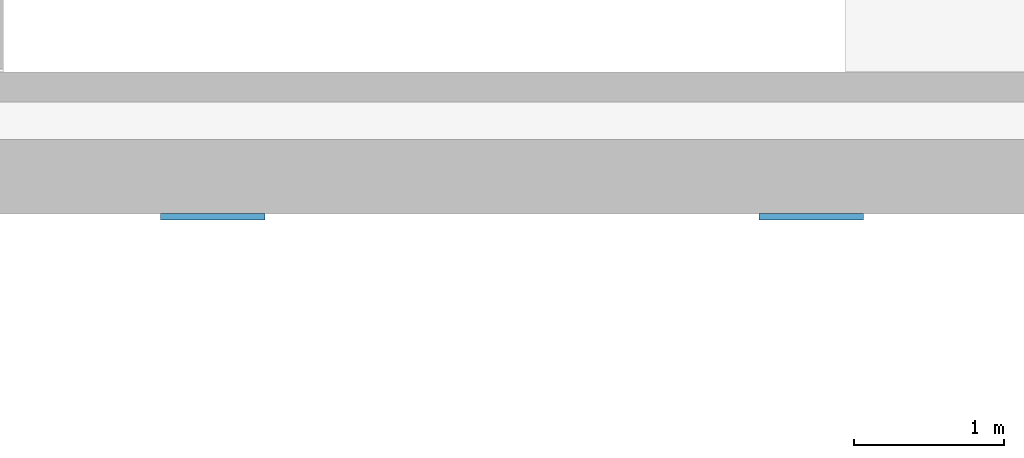
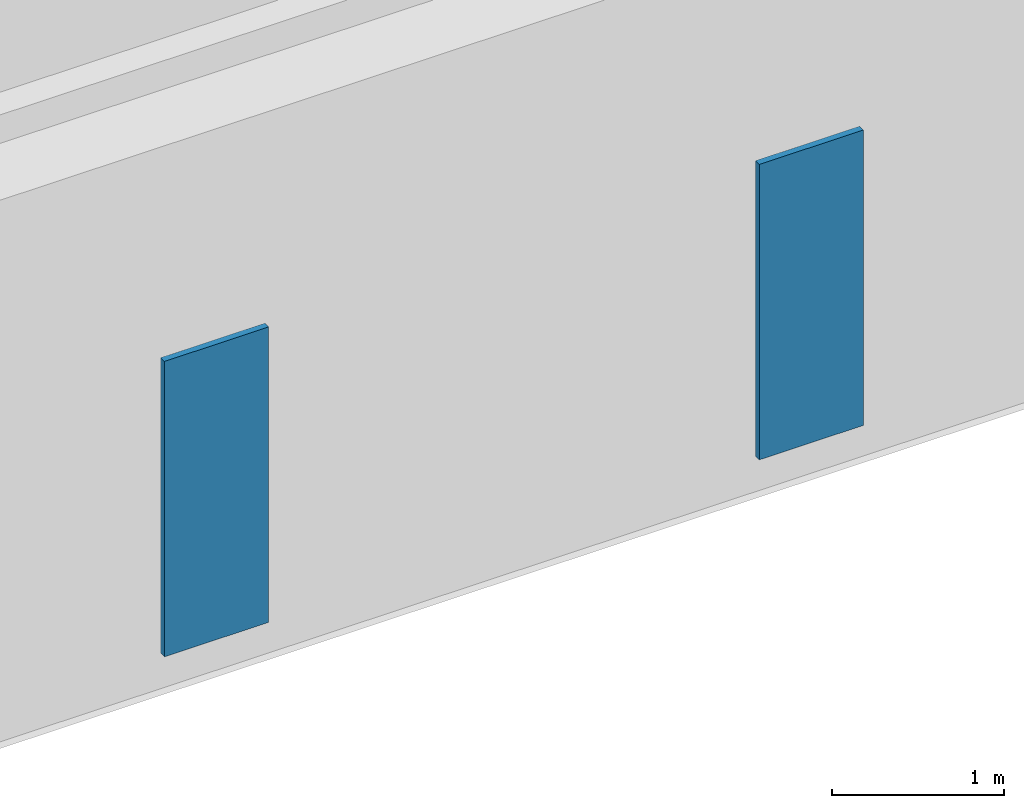
# One storey, part 2 of 14: 2 plates.
"""IFC4 building model written with IfcOpenShell, lengths in metres."""

from ifc_helpers import new_model, si_unit, derived_unit, direction, frame, origin, origin_2d, place, context, subcontext, project, spatial, rectangle, extrude, source, transform, mapped, material, layer, layer_set, type_object, type_shapes, element, save


model = new_model("IFC4")

# Units and contexts
model_context = context("Model", 3, precision=1e-05, world=origin(), true_north=direction((0.0, 1.0)))
body_context = subcontext(model_context, "Body", "Model", "MODEL_VIEW")
ifc_project = project(units=[si_unit("LENGTHUNIT", "METRE"), si_unit("AREAUNIT", "SQUARE_METRE"), si_unit("VOLUMEUNIT", "CUBIC_METRE"), si_unit("PLANEANGLEUNIT", "RADIAN"), si_unit("MASSUNIT", "GRAM", prefix="KILO"), si_unit("THERMODYNAMICTEMPERATUREUNIT", "KELVIN"), si_unit("POWERUNIT", "WATT"), derived_unit("THERMALTRANSMITTANCEUNIT", [(si_unit("POWERUNIT", "WATT"), 1), (si_unit("AREAUNIT", "SQUARE_METRE"), -1), (si_unit("THERMODYNAMICTEMPERATUREUNIT", "KELVIN"), -1)])], contexts=[model_context])

# Site, building, storey
site_placement = place(None, origin())
site = spatial("IfcSite", under=ifc_project, at=site_placement, CompositionType="ELEMENT")
building_placement = place(site_placement, origin())
building = spatial("IfcBuilding", under=site, at=building_placement, Name="Zahravan Archway Hotel and Residences", CompositionType="ELEMENT")
storey_placement = place(building_placement, frame((0.0, 0.0, 209.60009765625)))
storey = spatial("IfcBuildingStorey", under=building, at=storey_placement, Name="L52", CompositionType="ELEMENT", Elevation=209.60009765625)

# Plates
ifc_material = material(Name="Perforated Cast Bronze Jali Lattice")
ifc_layer = layer(ifc_material, 0.044921875, Name="Perforated Cast Bronze Jali Lattice")
ifc_layer_set = layer_set([ifc_layer], Name="Perforated Cast Bronze Jali Lattice")
plate_type = type_object("IfcPlateType", Name="PLT-JALI-BAY", PredefinedType="USERDEFINED", material=ifc_layer_set)
shared_shape = source(origin(), body_context, "Body", "SweptSolid", [
    extrude(rectangle(XDim=0.699951171875, YDim=0.044921875, at=origin_2d()), origin(), (0.0, 0.0, 1.0), 2.10009765625),
])
type_shapes(plate_type, [shared_shape])
for number, where, z_axis, x_axis, name in (
    (1, (5.5, 24.931884765625, 0.249755859375), (0.0, 0.0, 1.0), (1.0, 0.0, 0.0), "L52 Core B South Mughal Jali Screen 1"),
    (2, (9.5, 24.931884765625, 0.249755859375), (0.0, 0.0, 1.0), (1.0, 0.0, 0.0), "L52 Core B South Mughal Jali Screen 2"),
):
    element("IfcPlate", number, at=place(storey_placement, frame(where, z_axis=z_axis, x_axis=x_axis)), inside=storey, type_object=plate_type, Name=name, ObjectType="SCREEN", PredefinedType="USERDEFINED", context=body_context, shape_type="MappedRepresentation", body=[
        mapped(shared_shape, transform((0.0, 0.0, 0.0), scale=1.0)),
    ])

save(model, "model.ifc")
